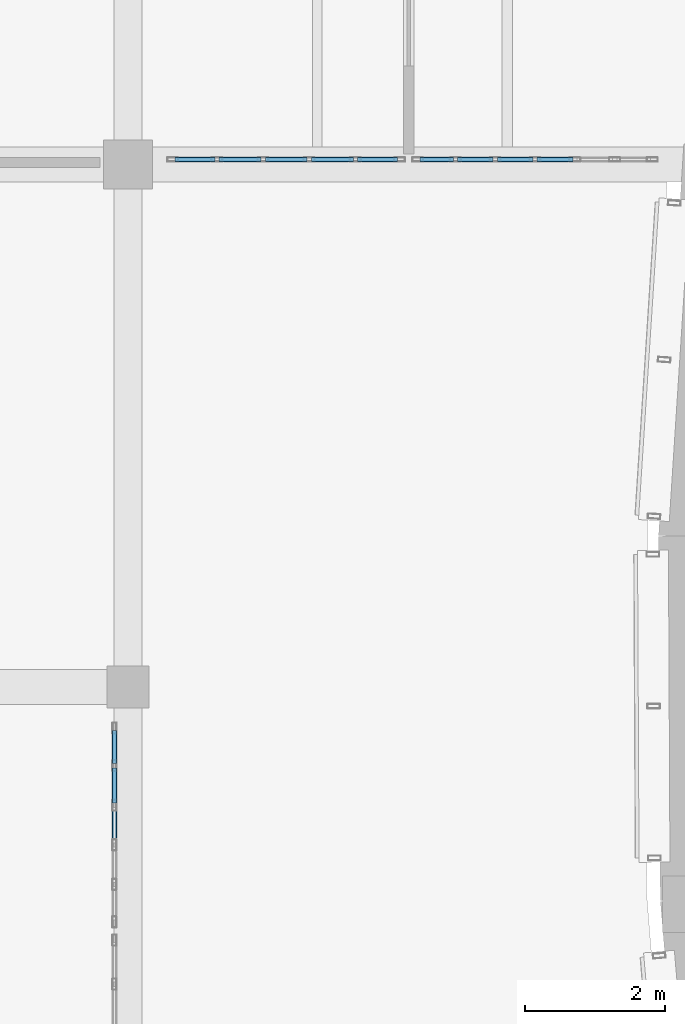
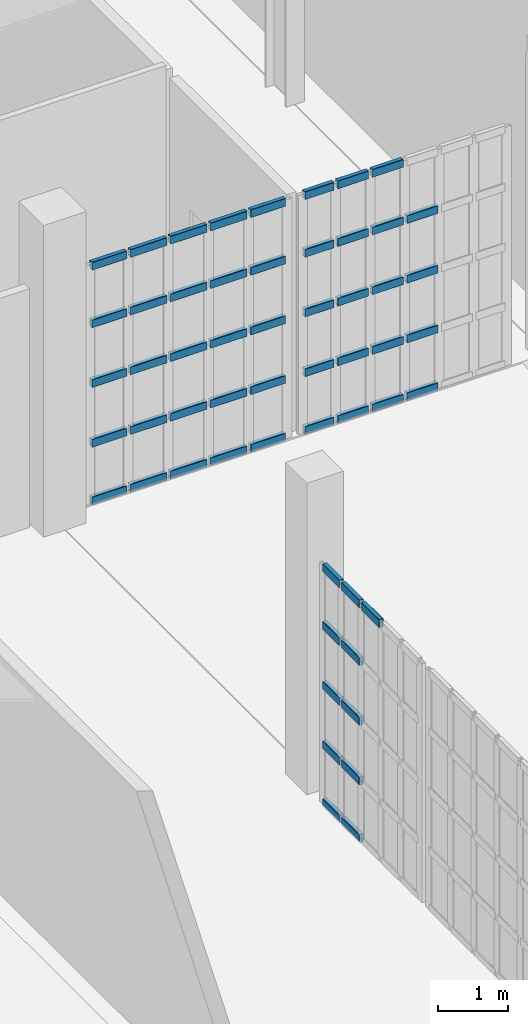
# One storey, part 299 of 372: 55 members, 3 elements without a shape of their own.
"""IFC4 building model written with IfcOpenShell, lengths in metres."""

from ifc_helpers import new_model, si_unit, direction, frame, origin, origin_2d, place, context, subcontext, project, spatial, hollow_rectangle, extrude, material, material_profile, profile_set, type_object, element, aggregate, save


model = new_model("IFC4")

# Units and contexts
model_context = context("Model", 3, precision=1e-05, world=origin(), true_north=direction((0.0, 1.0)))
body_context = subcontext(model_context, "Body", "Model", "MODEL_VIEW")
ifc_project = project(units=[si_unit("LENGTHUNIT", "METRE"), si_unit("AREAUNIT", "SQUARE_METRE"), si_unit("VOLUMEUNIT", "CUBIC_METRE"), si_unit("PLANEANGLEUNIT", "RADIAN"), si_unit("MASSUNIT", "GRAM", prefix="KILO")], contexts=[model_context])

# Site, building, storey
site_placement = place(None, origin())
site = spatial("IfcSite", under=ifc_project, at=site_placement, CompositionType="ELEMENT")
building_placement = place(site_placement, origin())
building = spatial("IfcBuilding", under=site, at=building_placement, Name="Kaelora Sail Theatre", CompositionType="ELEMENT")
storey_placement = place(building_placement, origin())
storey = spatial("IfcBuildingStorey", under=building, at=storey_placement, Name="L00", CompositionType="ELEMENT", Elevation=0.0)

# Curtain wall, members
ifc_material_1 = material(Name="Anodised aluminium and solar-control low-E IGU", Category="aluminium")
curtain_wall_type_1 = type_object("IfcCurtainWallType", Name="ARC-CW-CW-FOY1", PredefinedType="NOTDEFINED", material=ifc_material_1)
curtain_wall_1_placement = place(storey_placement, origin())
curtain_wall_1 = element("IfcCurtainWall", 1, at=curtain_wall_1_placement, inside=storey, type_object=curtain_wall_type_1, Name="Glazed Foyer/Conservatory Curtain Wall FW1-S-L00-01", PredefinedType="NOTDEFINED")
ifc_material_2 = material(Name="Anodised aluminium 6063-T6", Category="aluminium")
ifc_material_profile = material_profile(ifc_material_2, hollow_rectangle(XDim=0.070068359375, YDim=0.139892578125, WallThickness=0.00390625, InnerFilletRadius=0.00390625, OuterFilletRadius=0.008056640625, at=origin_2d()), Name="ALU-TRAN 70x140x4")
ifc_profile_set = profile_set([ifc_material_profile], Name="Anodised aluminium 6063-T6")
member_type = type_object("IfcMemberType", Name="ARC-MEM-TR-140", PredefinedType="USERDEFINED", material=ifc_profile_set)
member_1_placement = place(storey_placement, frame((18.3701171875, 61.090087890625, 0.034912109375), z_axis=(1.0, 0.0, 0.0), x_axis=(0.0, 1.0, 0.0)))
member_1 = element("IfcMember", 2, at=member_1_placement, type_object=member_type, Name="CW-FOY1 transom 1.1", ObjectType="TRANSOM", PredefinedType="USERDEFINED", context=body_context, shape_type="SweptSolid", body=[
    extrude(hollow_rectangle(XDim=0.070068359375, YDim=0.139892578125, WallThickness=0.00390625, InnerFilletRadius=0.00390625, OuterFilletRadius=0.008056640625, at=origin_2d()), origin(), (0.0, 0.0, 1.0), 0.56787109375),
])
member_2_placement = place(storey_placement, frame((18.3701171875, 61.090087890625, 1.0341796875), z_axis=(1.0, 0.0, 0.0), x_axis=(0.0, 1.0, 0.0)))
member_2 = element("IfcMember", 3, at=member_2_placement, type_object=member_type, Name="CW-FOY1 transom 1.2", ObjectType="TRANSOM", PredefinedType="USERDEFINED", context=body_context, shape_type="SweptSolid", body=[
    extrude(hollow_rectangle(XDim=0.070068359375, YDim=0.139892578125, WallThickness=0.00390625, InnerFilletRadius=0.00390625, OuterFilletRadius=0.008056640625, at=origin_2d()), origin(), (0.0, 0.0, 1.0), 0.56787109375),
])
member_3_placement = place(storey_placement, frame((18.3701171875, 61.090087890625, 2.068603515625), z_axis=(1.0, 0.0, 0.0), x_axis=(0.0, 1.0, 0.0)))
member_3 = element("IfcMember", 4, at=member_3_placement, type_object=member_type, Name="CW-FOY1 transom 1.3", ObjectType="TRANSOM", PredefinedType="USERDEFINED", context=body_context, shape_type="SweptSolid", body=[
    extrude(hollow_rectangle(XDim=0.070068359375, YDim=0.139892578125, WallThickness=0.00390625, InnerFilletRadius=0.00390625, OuterFilletRadius=0.008056640625, at=origin_2d()), origin(), (0.0, 0.0, 1.0), 0.56787109375),
])
member_4_placement = place(storey_placement, frame((18.3701171875, 61.090087890625, 3.102783203125), z_axis=(1.0, 0.0, 0.0), x_axis=(0.0, 1.0, 0.0)))
member_4 = element("IfcMember", 5, at=member_4_placement, type_object=member_type, Name="CW-FOY1 transom 1.4", ObjectType="TRANSOM", PredefinedType="USERDEFINED", context=body_context, shape_type="SweptSolid", body=[
    extrude(hollow_rectangle(XDim=0.070068359375, YDim=0.139892578125, WallThickness=0.00390625, InnerFilletRadius=0.00390625, OuterFilletRadius=0.008056640625, at=origin_2d()), origin(), (0.0, 0.0, 1.0), 0.56787109375),
])
member_5_placement = place(storey_placement, frame((18.3701171875, 61.090087890625, 4.10205078125), z_axis=(1.0, 0.0, 0.0), x_axis=(0.0, 1.0, 0.0)))
member_5 = element("IfcMember", 6, at=member_5_placement, type_object=member_type, Name="CW-FOY1 transom 1.5", ObjectType="TRANSOM", PredefinedType="USERDEFINED", context=body_context, shape_type="SweptSolid", body=[
    extrude(hollow_rectangle(XDim=0.070068359375, YDim=0.139892578125, WallThickness=0.00390625, InnerFilletRadius=0.00390625, OuterFilletRadius=0.008056640625, at=origin_2d()), origin(), (0.0, 0.0, 1.0), 0.56787109375),
])
member_6_placement = place(storey_placement, frame((18.998046875, 61.090087890625, 0.034912109375), z_axis=(1.0, 0.0, 0.0), x_axis=(0.0, 1.0, 0.0)))
member_6 = element("IfcMember", 7, at=member_6_placement, type_object=member_type, Name="CW-FOY1 transom 2.1", ObjectType="TRANSOM", PredefinedType="USERDEFINED", context=body_context, shape_type="SweptSolid", body=[
    extrude(hollow_rectangle(XDim=0.070068359375, YDim=0.139892578125, WallThickness=0.00390625, InnerFilletRadius=0.00390625, OuterFilletRadius=0.008056640625, at=origin_2d()), origin(), (0.0, 0.0, 1.0), 0.597900390625),
])
member_7_placement = place(storey_placement, frame((18.998046875, 61.090087890625, 1.0341796875), z_axis=(1.0, 0.0, 0.0), x_axis=(0.0, 1.0, 0.0)))
member_7 = element("IfcMember", 8, at=member_7_placement, type_object=member_type, Name="CW-FOY1 transom 2.2", ObjectType="TRANSOM", PredefinedType="USERDEFINED", context=body_context, shape_type="SweptSolid", body=[
    extrude(hollow_rectangle(XDim=0.070068359375, YDim=0.139892578125, WallThickness=0.00390625, InnerFilletRadius=0.00390625, OuterFilletRadius=0.008056640625, at=origin_2d()), origin(), (0.0, 0.0, 1.0), 0.597900390625),
])
member_8_placement = place(storey_placement, frame((18.998046875, 61.090087890625, 2.068603515625), z_axis=(1.0, 0.0, 0.0), x_axis=(0.0, 1.0, 0.0)))
member_8 = element("IfcMember", 9, at=member_8_placement, type_object=member_type, Name="CW-FOY1 transom 2.3", ObjectType="TRANSOM", PredefinedType="USERDEFINED", context=body_context, shape_type="SweptSolid", body=[
    extrude(hollow_rectangle(XDim=0.070068359375, YDim=0.139892578125, WallThickness=0.00390625, InnerFilletRadius=0.00390625, OuterFilletRadius=0.008056640625, at=origin_2d()), origin(), (0.0, 0.0, 1.0), 0.597900390625),
])
member_9_placement = place(storey_placement, frame((18.998046875, 61.090087890625, 3.102783203125), z_axis=(1.0, 0.0, 0.0), x_axis=(0.0, 1.0, 0.0)))
member_9 = element("IfcMember", 10, at=member_9_placement, type_object=member_type, Name="CW-FOY1 transom 2.4", ObjectType="TRANSOM", PredefinedType="USERDEFINED", context=body_context, shape_type="SweptSolid", body=[
    extrude(hollow_rectangle(XDim=0.070068359375, YDim=0.139892578125, WallThickness=0.00390625, InnerFilletRadius=0.00390625, OuterFilletRadius=0.008056640625, at=origin_2d()), origin(), (0.0, 0.0, 1.0), 0.597900390625),
])
member_10_placement = place(storey_placement, frame((18.998046875, 61.090087890625, 4.10205078125), z_axis=(1.0, 0.0, 0.0), x_axis=(0.0, 1.0, 0.0)))
member_10 = element("IfcMember", 11, at=member_10_placement, type_object=member_type, Name="CW-FOY1 transom 2.5", ObjectType="TRANSOM", PredefinedType="USERDEFINED", context=body_context, shape_type="SweptSolid", body=[
    extrude(hollow_rectangle(XDim=0.070068359375, YDim=0.139892578125, WallThickness=0.00390625, InnerFilletRadius=0.00390625, OuterFilletRadius=0.008056640625, at=origin_2d()), origin(), (0.0, 0.0, 1.0), 0.597900390625),
])
member_11_placement = place(storey_placement, frame((19.656005859375, 61.090087890625, 0.034912109375), z_axis=(1.0, 0.0, 0.0), x_axis=(0.0, 1.0, 0.0)))
member_11 = element("IfcMember", 12, at=member_11_placement, type_object=member_type, Name="CW-FOY1 transom 3.1", ObjectType="TRANSOM", PredefinedType="USERDEFINED", context=body_context, shape_type="SweptSolid", body=[
    extrude(hollow_rectangle(XDim=0.070068359375, YDim=0.139892578125, WallThickness=0.00390625, InnerFilletRadius=0.00390625, OuterFilletRadius=0.008056640625, at=origin_2d()), origin(), (0.0, 0.0, 1.0), 0.597900390625),
])
member_12_placement = place(storey_placement, frame((19.656005859375, 61.090087890625, 1.0341796875), z_axis=(1.0, 0.0, 0.0), x_axis=(0.0, 1.0, 0.0)))
member_12 = element("IfcMember", 13, at=member_12_placement, type_object=member_type, Name="CW-FOY1 transom 3.2", ObjectType="TRANSOM", PredefinedType="USERDEFINED", context=body_context, shape_type="SweptSolid", body=[
    extrude(hollow_rectangle(XDim=0.070068359375, YDim=0.139892578125, WallThickness=0.00390625, InnerFilletRadius=0.00390625, OuterFilletRadius=0.008056640625, at=origin_2d()), origin(), (0.0, 0.0, 1.0), 0.597900390625),
])
member_13_placement = place(storey_placement, frame((19.656005859375, 61.090087890625, 2.068603515625), z_axis=(1.0, 0.0, 0.0), x_axis=(0.0, 1.0, 0.0)))
member_13 = element("IfcMember", 14, at=member_13_placement, type_object=member_type, Name="CW-FOY1 transom 3.3", ObjectType="TRANSOM", PredefinedType="USERDEFINED", context=body_context, shape_type="SweptSolid", body=[
    extrude(hollow_rectangle(XDim=0.070068359375, YDim=0.139892578125, WallThickness=0.00390625, InnerFilletRadius=0.00390625, OuterFilletRadius=0.008056640625, at=origin_2d()), origin(), (0.0, 0.0, 1.0), 0.597900390625),
])
member_14_placement = place(storey_placement, frame((19.656005859375, 61.090087890625, 3.102783203125), z_axis=(1.0, 0.0, 0.0), x_axis=(0.0, 1.0, 0.0)))
member_14 = element("IfcMember", 15, at=member_14_placement, type_object=member_type, Name="CW-FOY1 transom 3.4", ObjectType="TRANSOM", PredefinedType="USERDEFINED", context=body_context, shape_type="SweptSolid", body=[
    extrude(hollow_rectangle(XDim=0.070068359375, YDim=0.139892578125, WallThickness=0.00390625, InnerFilletRadius=0.00390625, OuterFilletRadius=0.008056640625, at=origin_2d()), origin(), (0.0, 0.0, 1.0), 0.597900390625),
])
member_15_placement = place(storey_placement, frame((19.656005859375, 61.090087890625, 4.10205078125), z_axis=(1.0, 0.0, 0.0), x_axis=(0.0, 1.0, 0.0)))
member_15 = element("IfcMember", 16, at=member_15_placement, type_object=member_type, Name="CW-FOY1 transom 3.5", ObjectType="TRANSOM", PredefinedType="USERDEFINED", context=body_context, shape_type="SweptSolid", body=[
    extrude(hollow_rectangle(XDim=0.070068359375, YDim=0.139892578125, WallThickness=0.00390625, InnerFilletRadius=0.00390625, OuterFilletRadius=0.008056640625, at=origin_2d()), origin(), (0.0, 0.0, 1.0), 0.597900390625),
])
member_16_placement = place(storey_placement, frame((20.31396484375, 61.090087890625, 0.034912109375), z_axis=(1.0, 0.0, 0.0), x_axis=(0.0, 1.0, 0.0)))
member_16 = element("IfcMember", 17, at=member_16_placement, type_object=member_type, Name="CW-FOY1 transom 4.1", ObjectType="TRANSOM", PredefinedType="USERDEFINED", context=body_context, shape_type="SweptSolid", body=[
    extrude(hollow_rectangle(XDim=0.070068359375, YDim=0.139892578125, WallThickness=0.00390625, InnerFilletRadius=0.00390625, OuterFilletRadius=0.008056640625, at=origin_2d()), origin(), (0.0, 0.0, 1.0), 0.59814453125),
])
member_17_placement = place(storey_placement, frame((20.31396484375, 61.090087890625, 1.0341796875), z_axis=(1.0, 0.0, 0.0), x_axis=(0.0, 1.0, 0.0)))
member_17 = element("IfcMember", 18, at=member_17_placement, type_object=member_type, Name="CW-FOY1 transom 4.2", ObjectType="TRANSOM", PredefinedType="USERDEFINED", context=body_context, shape_type="SweptSolid", body=[
    extrude(hollow_rectangle(XDim=0.070068359375, YDim=0.139892578125, WallThickness=0.00390625, InnerFilletRadius=0.00390625, OuterFilletRadius=0.008056640625, at=origin_2d()), origin(), (0.0, 0.0, 1.0), 0.59814453125),
])
member_18_placement = place(storey_placement, frame((20.31396484375, 61.090087890625, 2.068603515625), z_axis=(1.0, 0.0, 0.0), x_axis=(0.0, 1.0, 0.0)))
member_18 = element("IfcMember", 19, at=member_18_placement, type_object=member_type, Name="CW-FOY1 transom 4.3", ObjectType="TRANSOM", PredefinedType="USERDEFINED", context=body_context, shape_type="SweptSolid", body=[
    extrude(hollow_rectangle(XDim=0.070068359375, YDim=0.139892578125, WallThickness=0.00390625, InnerFilletRadius=0.00390625, OuterFilletRadius=0.008056640625, at=origin_2d()), origin(), (0.0, 0.0, 1.0), 0.59814453125),
])
member_19_placement = place(storey_placement, frame((20.31396484375, 61.090087890625, 3.102783203125), z_axis=(1.0, 0.0, 0.0), x_axis=(0.0, 1.0, 0.0)))
member_19 = element("IfcMember", 20, at=member_19_placement, type_object=member_type, Name="CW-FOY1 transom 4.4", ObjectType="TRANSOM", PredefinedType="USERDEFINED", context=body_context, shape_type="SweptSolid", body=[
    extrude(hollow_rectangle(XDim=0.070068359375, YDim=0.139892578125, WallThickness=0.00390625, InnerFilletRadius=0.00390625, OuterFilletRadius=0.008056640625, at=origin_2d()), origin(), (0.0, 0.0, 1.0), 0.59814453125),
])
member_20_placement = place(storey_placement, frame((20.31396484375, 61.090087890625, 4.10205078125), z_axis=(1.0, 0.0, 0.0), x_axis=(0.0, 1.0, 0.0)))
member_20 = element("IfcMember", 21, at=member_20_placement, type_object=member_type, Name="CW-FOY1 transom 4.5", ObjectType="TRANSOM", PredefinedType="USERDEFINED", context=body_context, shape_type="SweptSolid", body=[
    extrude(hollow_rectangle(XDim=0.070068359375, YDim=0.139892578125, WallThickness=0.00390625, InnerFilletRadius=0.00390625, OuterFilletRadius=0.008056640625, at=origin_2d()), origin(), (0.0, 0.0, 1.0), 0.59814453125),
])
member_21_placement = place(storey_placement, frame((20.971923828125, 61.090087890625, 0.034912109375), z_axis=(1.0, 0.0, 0.0), x_axis=(0.0, 1.0, 0.0)))
member_21 = element("IfcMember", 22, at=member_21_placement, type_object=member_type, Name="CW-FOY1 transom 5.1", ObjectType="TRANSOM", PredefinedType="USERDEFINED", context=body_context, shape_type="SweptSolid", body=[
    extrude(hollow_rectangle(XDim=0.070068359375, YDim=0.139892578125, WallThickness=0.00390625, InnerFilletRadius=0.00390625, OuterFilletRadius=0.008056640625, at=origin_2d()), origin(), (0.0, 0.0, 1.0), 0.568115234375),
])
member_22_placement = place(storey_placement, frame((20.971923828125, 61.090087890625, 1.0341796875), z_axis=(1.0, 0.0, 0.0), x_axis=(0.0, 1.0, 0.0)))
member_22 = element("IfcMember", 23, at=member_22_placement, type_object=member_type, Name="CW-FOY1 transom 5.2", ObjectType="TRANSOM", PredefinedType="USERDEFINED", context=body_context, shape_type="SweptSolid", body=[
    extrude(hollow_rectangle(XDim=0.070068359375, YDim=0.139892578125, WallThickness=0.00390625, InnerFilletRadius=0.00390625, OuterFilletRadius=0.008056640625, at=origin_2d()), origin(), (0.0, 0.0, 1.0), 0.568115234375),
])
member_23_placement = place(storey_placement, frame((20.971923828125, 61.090087890625, 2.068603515625), z_axis=(1.0, 0.0, 0.0), x_axis=(0.0, 1.0, 0.0)))
member_23 = element("IfcMember", 24, at=member_23_placement, type_object=member_type, Name="CW-FOY1 transom 5.3", ObjectType="TRANSOM", PredefinedType="USERDEFINED", context=body_context, shape_type="SweptSolid", body=[
    extrude(hollow_rectangle(XDim=0.070068359375, YDim=0.139892578125, WallThickness=0.00390625, InnerFilletRadius=0.00390625, OuterFilletRadius=0.008056640625, at=origin_2d()), origin(), (0.0, 0.0, 1.0), 0.568115234375),
])
member_24_placement = place(storey_placement, frame((20.971923828125, 61.090087890625, 3.102783203125), z_axis=(1.0, 0.0, 0.0), x_axis=(0.0, 1.0, 0.0)))
member_24 = element("IfcMember", 25, at=member_24_placement, type_object=member_type, Name="CW-FOY1 transom 5.4", ObjectType="TRANSOM", PredefinedType="USERDEFINED", context=body_context, shape_type="SweptSolid", body=[
    extrude(hollow_rectangle(XDim=0.070068359375, YDim=0.139892578125, WallThickness=0.00390625, InnerFilletRadius=0.00390625, OuterFilletRadius=0.008056640625, at=origin_2d()), origin(), (0.0, 0.0, 1.0), 0.568115234375),
])
member_25_placement = place(storey_placement, frame((20.971923828125, 61.090087890625, 4.10205078125), z_axis=(1.0, 0.0, 0.0), x_axis=(0.0, 1.0, 0.0)))
member_25 = element("IfcMember", 26, at=member_25_placement, type_object=member_type, Name="CW-FOY1 transom 5.5", ObjectType="TRANSOM", PredefinedType="USERDEFINED", context=body_context, shape_type="SweptSolid", body=[
    extrude(hollow_rectangle(XDim=0.070068359375, YDim=0.139892578125, WallThickness=0.00390625, InnerFilletRadius=0.00390625, OuterFilletRadius=0.008056640625, at=origin_2d()), origin(), (0.0, 0.0, 1.0), 0.568115234375),
])
aggregate(curtain_wall_1, [member_1, member_2, member_3, member_4, member_5, member_6, member_7, member_8, member_9, member_10, member_11, member_12, member_13, member_14, member_15, member_16, member_17, member_18, member_19, member_20, member_21, member_22, member_23, member_24, member_25])

curtain_wall_2_placement = place(storey_placement, origin())
curtain_wall_2 = element("IfcCurtainWall", 27, at=curtain_wall_2_placement, inside=storey, type_object=curtain_wall_type_1, Name="Glazed Foyer/Conservatory Curtain Wall FW1-S-L00-02", PredefinedType="NOTDEFINED")
member_26_placement = place(storey_placement, frame((21.860107421875, 61.090087890625, 0.034912109375), z_axis=(1.0, 0.0, 0.0), x_axis=(0.0, 1.0, 0.0)))
member_26 = element("IfcMember", 28, at=member_26_placement, type_object=member_type, Name="CW-FOY1 transom 1.1", ObjectType="TRANSOM", PredefinedType="USERDEFINED", context=body_context, shape_type="SweptSolid", body=[
    extrude(hollow_rectangle(XDim=0.070068359375, YDim=0.139892578125, WallThickness=0.00390625, InnerFilletRadius=0.00390625, OuterFilletRadius=0.008056640625, at=origin_2d()), origin(), (0.0, 0.0, 1.0), 0.4765625),
])
member_27_placement = place(storey_placement, frame((21.860107421875, 61.090087890625, 1.0341796875), z_axis=(1.0, 0.0, 0.0), x_axis=(0.0, 1.0, 0.0)))
member_27 = element("IfcMember", 29, at=member_27_placement, type_object=member_type, Name="CW-FOY1 transom 1.2", ObjectType="TRANSOM", PredefinedType="USERDEFINED", context=body_context, shape_type="SweptSolid", body=[
    extrude(hollow_rectangle(XDim=0.070068359375, YDim=0.139892578125, WallThickness=0.00390625, InnerFilletRadius=0.00390625, OuterFilletRadius=0.008056640625, at=origin_2d()), origin(), (0.0, 0.0, 1.0), 0.4765625),
])
member_28_placement = place(storey_placement, frame((21.860107421875, 61.090087890625, 2.068603515625), z_axis=(1.0, 0.0, 0.0), x_axis=(0.0, 1.0, 0.0)))
member_28 = element("IfcMember", 30, at=member_28_placement, type_object=member_type, Name="CW-FOY1 transom 1.3", ObjectType="TRANSOM", PredefinedType="USERDEFINED", context=body_context, shape_type="SweptSolid", body=[
    extrude(hollow_rectangle(XDim=0.070068359375, YDim=0.139892578125, WallThickness=0.00390625, InnerFilletRadius=0.00390625, OuterFilletRadius=0.008056640625, at=origin_2d()), origin(), (0.0, 0.0, 1.0), 0.4765625),
])
member_29_placement = place(storey_placement, frame((21.860107421875, 61.090087890625, 3.102783203125), z_axis=(1.0, 0.0, 0.0), x_axis=(0.0, 1.0, 0.0)))
member_29 = element("IfcMember", 31, at=member_29_placement, type_object=member_type, Name="CW-FOY1 transom 1.4", ObjectType="TRANSOM", PredefinedType="USERDEFINED", context=body_context, shape_type="SweptSolid", body=[
    extrude(hollow_rectangle(XDim=0.070068359375, YDim=0.139892578125, WallThickness=0.00390625, InnerFilletRadius=0.00390625, OuterFilletRadius=0.008056640625, at=origin_2d()), origin(), (0.0, 0.0, 1.0), 0.4765625),
])
member_30_placement = place(storey_placement, frame((21.860107421875, 61.090087890625, 4.10205078125), z_axis=(1.0, 0.0, 0.0), x_axis=(0.0, 1.0, 0.0)))
member_30 = element("IfcMember", 32, at=member_30_placement, type_object=member_type, Name="CW-FOY1 transom 1.5", ObjectType="TRANSOM", PredefinedType="USERDEFINED", context=body_context, shape_type="SweptSolid", body=[
    extrude(hollow_rectangle(XDim=0.070068359375, YDim=0.139892578125, WallThickness=0.00390625, InnerFilletRadius=0.00390625, OuterFilletRadius=0.008056640625, at=origin_2d()), origin(), (0.0, 0.0, 1.0), 0.4765625),
])
member_31_placement = place(storey_placement, frame((22.396728515625, 61.090087890625, 0.034912109375), z_axis=(1.0, 0.0, 0.0), x_axis=(0.0, 1.0, 0.0)))
member_31 = element("IfcMember", 33, at=member_31_placement, type_object=member_type, Name="CW-FOY1 transom 2.1", ObjectType="TRANSOM", PredefinedType="USERDEFINED", context=body_context, shape_type="SweptSolid", body=[
    extrude(hollow_rectangle(XDim=0.070068359375, YDim=0.139892578125, WallThickness=0.00390625, InnerFilletRadius=0.00390625, OuterFilletRadius=0.008056640625, at=origin_2d()), origin(), (0.0, 0.0, 1.0), 0.506591796875),
])
member_32_placement = place(storey_placement, frame((22.396728515625, 61.090087890625, 1.0341796875), z_axis=(1.0, 0.0, 0.0), x_axis=(0.0, 1.0, 0.0)))
member_32 = element("IfcMember", 34, at=member_32_placement, type_object=member_type, Name="CW-FOY1 transom 2.2", ObjectType="TRANSOM", PredefinedType="USERDEFINED", context=body_context, shape_type="SweptSolid", body=[
    extrude(hollow_rectangle(XDim=0.070068359375, YDim=0.139892578125, WallThickness=0.00390625, InnerFilletRadius=0.00390625, OuterFilletRadius=0.008056640625, at=origin_2d()), origin(), (0.0, 0.0, 1.0), 0.506591796875),
])
member_33_placement = place(storey_placement, frame((22.396728515625, 61.090087890625, 2.068603515625), z_axis=(1.0, 0.0, 0.0), x_axis=(0.0, 1.0, 0.0)))
member_33 = element("IfcMember", 35, at=member_33_placement, type_object=member_type, Name="CW-FOY1 transom 2.3", ObjectType="TRANSOM", PredefinedType="USERDEFINED", context=body_context, shape_type="SweptSolid", body=[
    extrude(hollow_rectangle(XDim=0.070068359375, YDim=0.139892578125, WallThickness=0.00390625, InnerFilletRadius=0.00390625, OuterFilletRadius=0.008056640625, at=origin_2d()), origin(), (0.0, 0.0, 1.0), 0.506591796875),
])
member_34_placement = place(storey_placement, frame((22.396728515625, 61.090087890625, 3.102783203125), z_axis=(1.0, 0.0, 0.0), x_axis=(0.0, 1.0, 0.0)))
member_34 = element("IfcMember", 36, at=member_34_placement, type_object=member_type, Name="CW-FOY1 transom 2.4", ObjectType="TRANSOM", PredefinedType="USERDEFINED", context=body_context, shape_type="SweptSolid", body=[
    extrude(hollow_rectangle(XDim=0.070068359375, YDim=0.139892578125, WallThickness=0.00390625, InnerFilletRadius=0.00390625, OuterFilletRadius=0.008056640625, at=origin_2d()), origin(), (0.0, 0.0, 1.0), 0.506591796875),
])
member_35_placement = place(storey_placement, frame((22.396728515625, 61.090087890625, 4.10205078125), z_axis=(1.0, 0.0, 0.0), x_axis=(0.0, 1.0, 0.0)))
member_35 = element("IfcMember", 37, at=member_35_placement, type_object=member_type, Name="CW-FOY1 transom 2.5", ObjectType="TRANSOM", PredefinedType="USERDEFINED", context=body_context, shape_type="SweptSolid", body=[
    extrude(hollow_rectangle(XDim=0.070068359375, YDim=0.139892578125, WallThickness=0.00390625, InnerFilletRadius=0.00390625, OuterFilletRadius=0.008056640625, at=origin_2d()), origin(), (0.0, 0.0, 1.0), 0.506591796875),
])
member_36_placement = place(storey_placement, frame((22.96337890625, 61.090087890625, 0.034912109375), z_axis=(1.0, 0.0, 0.0), x_axis=(0.0, 1.0, 0.0)))
member_36 = element("IfcMember", 38, at=member_36_placement, type_object=member_type, Name="CW-FOY1 transom 3.1", ObjectType="TRANSOM", PredefinedType="USERDEFINED", context=body_context, shape_type="SweptSolid", body=[
    extrude(hollow_rectangle(XDim=0.070068359375, YDim=0.139892578125, WallThickness=0.00390625, InnerFilletRadius=0.00390625, OuterFilletRadius=0.008056640625, at=origin_2d()), origin(), (0.0, 0.0, 1.0), 0.506591796875),
])
member_37_placement = place(storey_placement, frame((22.96337890625, 61.090087890625, 1.0341796875), z_axis=(1.0, 0.0, 0.0), x_axis=(0.0, 1.0, 0.0)))
member_37 = element("IfcMember", 39, at=member_37_placement, type_object=member_type, Name="CW-FOY1 transom 3.2", ObjectType="TRANSOM", PredefinedType="USERDEFINED", context=body_context, shape_type="SweptSolid", body=[
    extrude(hollow_rectangle(XDim=0.070068359375, YDim=0.139892578125, WallThickness=0.00390625, InnerFilletRadius=0.00390625, OuterFilletRadius=0.008056640625, at=origin_2d()), origin(), (0.0, 0.0, 1.0), 0.506591796875),
])
member_38_placement = place(storey_placement, frame((22.96337890625, 61.090087890625, 2.068603515625), z_axis=(1.0, 0.0, 0.0), x_axis=(0.0, 1.0, 0.0)))
member_38 = element("IfcMember", 40, at=member_38_placement, type_object=member_type, Name="CW-FOY1 transom 3.3", ObjectType="TRANSOM", PredefinedType="USERDEFINED", context=body_context, shape_type="SweptSolid", body=[
    extrude(hollow_rectangle(XDim=0.070068359375, YDim=0.139892578125, WallThickness=0.00390625, InnerFilletRadius=0.00390625, OuterFilletRadius=0.008056640625, at=origin_2d()), origin(), (0.0, 0.0, 1.0), 0.506591796875),
])
member_39_placement = place(storey_placement, frame((22.96337890625, 61.090087890625, 3.102783203125), z_axis=(1.0, 0.0, 0.0), x_axis=(0.0, 1.0, 0.0)))
member_39 = element("IfcMember", 41, at=member_39_placement, type_object=member_type, Name="CW-FOY1 transom 3.4", ObjectType="TRANSOM", PredefinedType="USERDEFINED", context=body_context, shape_type="SweptSolid", body=[
    extrude(hollow_rectangle(XDim=0.070068359375, YDim=0.139892578125, WallThickness=0.00390625, InnerFilletRadius=0.00390625, OuterFilletRadius=0.008056640625, at=origin_2d()), origin(), (0.0, 0.0, 1.0), 0.506591796875),
])
member_40_placement = place(storey_placement, frame((22.96337890625, 61.090087890625, 4.10205078125), z_axis=(1.0, 0.0, 0.0), x_axis=(0.0, 1.0, 0.0)))
member_40 = element("IfcMember", 42, at=member_40_placement, type_object=member_type, Name="CW-FOY1 transom 3.5", ObjectType="TRANSOM", PredefinedType="USERDEFINED", context=body_context, shape_type="SweptSolid", body=[
    extrude(hollow_rectangle(XDim=0.070068359375, YDim=0.139892578125, WallThickness=0.00390625, InnerFilletRadius=0.00390625, OuterFilletRadius=0.008056640625, at=origin_2d()), origin(), (0.0, 0.0, 1.0), 0.506591796875),
])
member_41_placement = place(storey_placement, frame((23.530029296875, 61.090087890625, 0.034912109375), z_axis=(1.0, 0.0, 0.0), x_axis=(0.0, 1.0, 0.0)))
member_41 = element("IfcMember", 43, at=member_41_placement, type_object=member_type, Name="CW-FOY1 transom 4.1", ObjectType="TRANSOM", PredefinedType="USERDEFINED", context=body_context, shape_type="SweptSolid", body=[
    extrude(hollow_rectangle(XDim=0.070068359375, YDim=0.139892578125, WallThickness=0.00390625, InnerFilletRadius=0.00390625, OuterFilletRadius=0.008056640625, at=origin_2d()), origin(), (0.0, 0.0, 1.0), 0.506591796875),
])
member_42_placement = place(storey_placement, frame((23.530029296875, 61.090087890625, 1.0341796875), z_axis=(1.0, 0.0, 0.0), x_axis=(0.0, 1.0, 0.0)))
member_42 = element("IfcMember", 44, at=member_42_placement, type_object=member_type, Name="CW-FOY1 transom 4.2", ObjectType="TRANSOM", PredefinedType="USERDEFINED", context=body_context, shape_type="SweptSolid", body=[
    extrude(hollow_rectangle(XDim=0.070068359375, YDim=0.139892578125, WallThickness=0.00390625, InnerFilletRadius=0.00390625, OuterFilletRadius=0.008056640625, at=origin_2d()), origin(), (0.0, 0.0, 1.0), 0.506591796875),
])
member_43_placement = place(storey_placement, frame((23.530029296875, 61.090087890625, 2.068603515625), z_axis=(1.0, 0.0, 0.0), x_axis=(0.0, 1.0, 0.0)))
member_43 = element("IfcMember", 45, at=member_43_placement, type_object=member_type, Name="CW-FOY1 transom 4.3", ObjectType="TRANSOM", PredefinedType="USERDEFINED", context=body_context, shape_type="SweptSolid", body=[
    extrude(hollow_rectangle(XDim=0.070068359375, YDim=0.139892578125, WallThickness=0.00390625, InnerFilletRadius=0.00390625, OuterFilletRadius=0.008056640625, at=origin_2d()), origin(), (0.0, 0.0, 1.0), 0.506591796875),
])
member_44_placement = place(storey_placement, frame((23.530029296875, 61.090087890625, 3.102783203125), z_axis=(1.0, 0.0, 0.0), x_axis=(0.0, 1.0, 0.0)))
member_44 = element("IfcMember", 46, at=member_44_placement, type_object=member_type, Name="CW-FOY1 transom 4.4", ObjectType="TRANSOM", PredefinedType="USERDEFINED", context=body_context, shape_type="SweptSolid", body=[
    extrude(hollow_rectangle(XDim=0.070068359375, YDim=0.139892578125, WallThickness=0.00390625, InnerFilletRadius=0.00390625, OuterFilletRadius=0.008056640625, at=origin_2d()), origin(), (0.0, 0.0, 1.0), 0.506591796875),
])
aggregate(curtain_wall_2, [member_26, member_27, member_28, member_29, member_30, member_31, member_32, member_33, member_34, member_35, member_36, member_37, member_38, member_39, member_40, member_41, member_42, member_43, member_44])

ifc_material_3 = material(Name="Anodised aluminium and solar-control low-E IGU", Category="aluminium")
curtain_wall_type_2 = type_object("IfcCurtainWallType", Name="ARC-CW-CW-FOY2", PredefinedType="NOTDEFINED", material=ifc_material_3)
curtain_wall_3_placement = place(storey_placement, origin())
curtain_wall_3 = element("IfcCurtainWall", 47, at=curtain_wall_3_placement, inside=storey, type_object=curtain_wall_type_2, Name="Glazed Colonnade/Courtyard Curtain Wall COLW-E-L00-06", PredefinedType="NOTDEFINED")
member_45_placement = place(storey_placement, frame((17.510009765625, 51.35791015625, 4.10205078125), z_axis=(0.0, 1.0, 0.0), x_axis=(-1.0, 0.0, 0.0)))
member_45 = element("IfcMember", 48, at=member_45_placement, type_object=member_type, Name="CW-FOY2 transom 3.5", ObjectType="TRANSOM", PredefinedType="USERDEFINED", context=body_context, shape_type="SweptSolid", body=[
    extrude(hollow_rectangle(XDim=0.070068359375, YDim=0.139892578125, WallThickness=0.00390625, InnerFilletRadius=0.00390625, OuterFilletRadius=0.008056640625, at=origin_2d()), origin(), (0.0, 0.0, 1.0), 0.504150390625),
])
member_46_placement = place(storey_placement, frame((17.510009765625, 51.922119140625, 0.034912109375), z_axis=(0.0, 1.0, 0.0), x_axis=(-1.0, 0.0, 0.0)))
member_46 = element("IfcMember", 49, at=member_46_placement, type_object=member_type, Name="CW-FOY2 transom 4.1", ObjectType="TRANSOM", PredefinedType="USERDEFINED", context=body_context, shape_type="SweptSolid", body=[
    extrude(hollow_rectangle(XDim=0.070068359375, YDim=0.139892578125, WallThickness=0.00390625, InnerFilletRadius=0.00390625, OuterFilletRadius=0.008056640625, at=origin_2d()), origin(), (0.0, 0.0, 1.0), 0.50390625),
])
member_47_placement = place(storey_placement, frame((17.510009765625, 51.922119140625, 1.0341796875), z_axis=(0.0, 1.0, 0.0), x_axis=(-1.0, 0.0, 0.0)))
member_47 = element("IfcMember", 50, at=member_47_placement, type_object=member_type, Name="CW-FOY2 transom 4.2", ObjectType="TRANSOM", PredefinedType="USERDEFINED", context=body_context, shape_type="SweptSolid", body=[
    extrude(hollow_rectangle(XDim=0.070068359375, YDim=0.139892578125, WallThickness=0.00390625, InnerFilletRadius=0.00390625, OuterFilletRadius=0.008056640625, at=origin_2d()), origin(), (0.0, 0.0, 1.0), 0.50390625),
])
member_48_placement = place(storey_placement, frame((17.510009765625, 51.922119140625, 2.068603515625), z_axis=(0.0, 1.0, 0.0), x_axis=(-1.0, 0.0, 0.0)))
member_48 = element("IfcMember", 51, at=member_48_placement, type_object=member_type, Name="CW-FOY2 transom 4.3", ObjectType="TRANSOM", PredefinedType="USERDEFINED", context=body_context, shape_type="SweptSolid", body=[
    extrude(hollow_rectangle(XDim=0.070068359375, YDim=0.139892578125, WallThickness=0.00390625, InnerFilletRadius=0.00390625, OuterFilletRadius=0.008056640625, at=origin_2d()), origin(), (0.0, 0.0, 1.0), 0.50390625),
])
member_49_placement = place(storey_placement, frame((17.510009765625, 51.922119140625, 3.102783203125), z_axis=(0.0, 1.0, 0.0), x_axis=(-1.0, 0.0, 0.0)))
member_49 = element("IfcMember", 52, at=member_49_placement, type_object=member_type, Name="CW-FOY2 transom 4.4", ObjectType="TRANSOM", PredefinedType="USERDEFINED", context=body_context, shape_type="SweptSolid", body=[
    extrude(hollow_rectangle(XDim=0.070068359375, YDim=0.139892578125, WallThickness=0.00390625, InnerFilletRadius=0.00390625, OuterFilletRadius=0.008056640625, at=origin_2d()), origin(), (0.0, 0.0, 1.0), 0.50390625),
])
member_50_placement = place(storey_placement, frame((17.510009765625, 51.922119140625, 4.10205078125), z_axis=(0.0, 1.0, 0.0), x_axis=(-1.0, 0.0, 0.0)))
member_50 = element("IfcMember", 53, at=member_50_placement, type_object=member_type, Name="CW-FOY2 transom 4.5", ObjectType="TRANSOM", PredefinedType="USERDEFINED", context=body_context, shape_type="SweptSolid", body=[
    extrude(hollow_rectangle(XDim=0.070068359375, YDim=0.139892578125, WallThickness=0.00390625, InnerFilletRadius=0.00390625, OuterFilletRadius=0.008056640625, at=origin_2d()), origin(), (0.0, 0.0, 1.0), 0.50390625),
])
member_51_placement = place(storey_placement, frame((17.510009765625, 52.486083984375, 0.034912109375), z_axis=(0.0, 1.0, 0.0), x_axis=(-1.0, 0.0, 0.0)))
member_51 = element("IfcMember", 54, at=member_51_placement, type_object=member_type, Name="CW-FOY2 transom 5.1", ObjectType="TRANSOM", PredefinedType="USERDEFINED", context=body_context, shape_type="SweptSolid", body=[
    extrude(hollow_rectangle(XDim=0.070068359375, YDim=0.139892578125, WallThickness=0.00390625, InnerFilletRadius=0.00390625, OuterFilletRadius=0.008056640625, at=origin_2d()), origin(), (0.0, 0.0, 1.0), 0.473876953125),
])
member_52_placement = place(storey_placement, frame((17.510009765625, 52.486083984375, 1.0341796875), z_axis=(0.0, 1.0, 0.0), x_axis=(-1.0, 0.0, 0.0)))
member_52 = element("IfcMember", 55, at=member_52_placement, type_object=member_type, Name="CW-FOY2 transom 5.2", ObjectType="TRANSOM", PredefinedType="USERDEFINED", context=body_context, shape_type="SweptSolid", body=[
    extrude(hollow_rectangle(XDim=0.070068359375, YDim=0.139892578125, WallThickness=0.00390625, InnerFilletRadius=0.00390625, OuterFilletRadius=0.008056640625, at=origin_2d()), origin(), (0.0, 0.0, 1.0), 0.473876953125),
])
member_53_placement = place(storey_placement, frame((17.510009765625, 52.486083984375, 2.068603515625), z_axis=(0.0, 1.0, 0.0), x_axis=(-1.0, 0.0, 0.0)))
member_53 = element("IfcMember", 56, at=member_53_placement, type_object=member_type, Name="CW-FOY2 transom 5.3", ObjectType="TRANSOM", PredefinedType="USERDEFINED", context=body_context, shape_type="SweptSolid", body=[
    extrude(hollow_rectangle(XDim=0.070068359375, YDim=0.139892578125, WallThickness=0.00390625, InnerFilletRadius=0.00390625, OuterFilletRadius=0.008056640625, at=origin_2d()), origin(), (0.0, 0.0, 1.0), 0.473876953125),
])
member_54_placement = place(storey_placement, frame((17.510009765625, 52.486083984375, 3.102783203125), z_axis=(0.0, 1.0, 0.0), x_axis=(-1.0, 0.0, 0.0)))
member_54 = element("IfcMember", 57, at=member_54_placement, type_object=member_type, Name="CW-FOY2 transom 5.4", ObjectType="TRANSOM", PredefinedType="USERDEFINED", context=body_context, shape_type="SweptSolid", body=[
    extrude(hollow_rectangle(XDim=0.070068359375, YDim=0.139892578125, WallThickness=0.00390625, InnerFilletRadius=0.00390625, OuterFilletRadius=0.008056640625, at=origin_2d()), origin(), (0.0, 0.0, 1.0), 0.473876953125),
])
member_55_placement = place(storey_placement, frame((17.510009765625, 52.486083984375, 4.10205078125), z_axis=(0.0, 1.0, 0.0), x_axis=(-1.0, 0.0, 0.0)))
member_55 = element("IfcMember", 58, at=member_55_placement, type_object=member_type, Name="CW-FOY2 transom 5.5", ObjectType="TRANSOM", PredefinedType="USERDEFINED", context=body_context, shape_type="SweptSolid", body=[
    extrude(hollow_rectangle(XDim=0.070068359375, YDim=0.139892578125, WallThickness=0.00390625, InnerFilletRadius=0.00390625, OuterFilletRadius=0.008056640625, at=origin_2d()), origin(), (0.0, 0.0, 1.0), 0.473876953125),
])
aggregate(curtain_wall_3, [member_45, member_46, member_47, member_48, member_49, member_50, member_51, member_52, member_53, member_54, member_55])

save(model, "model.ifc")
